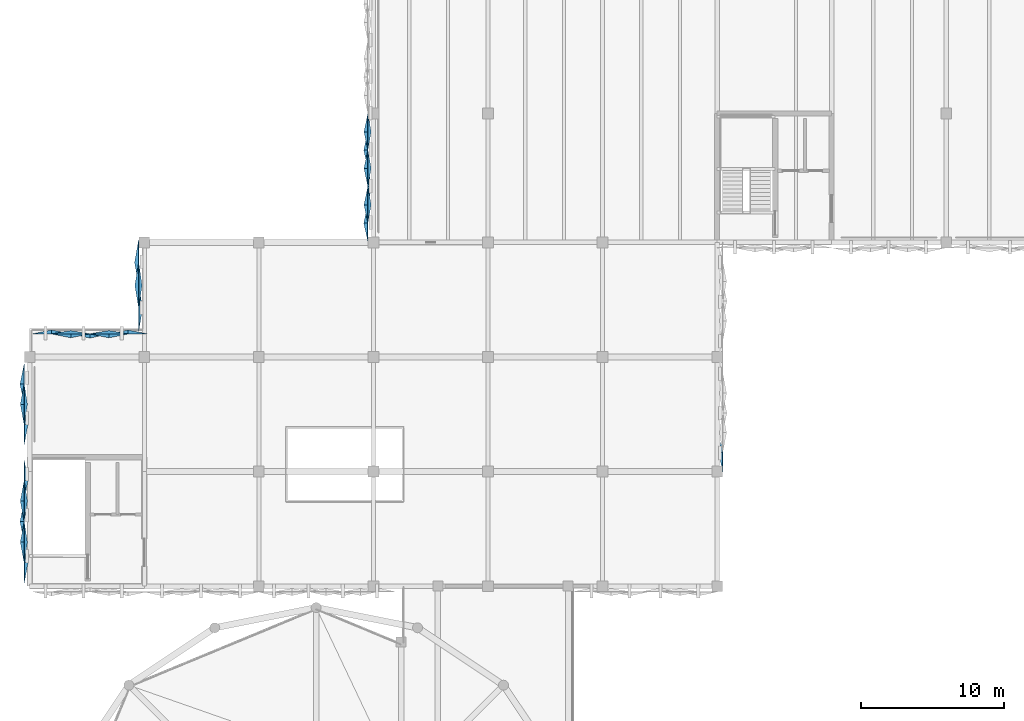
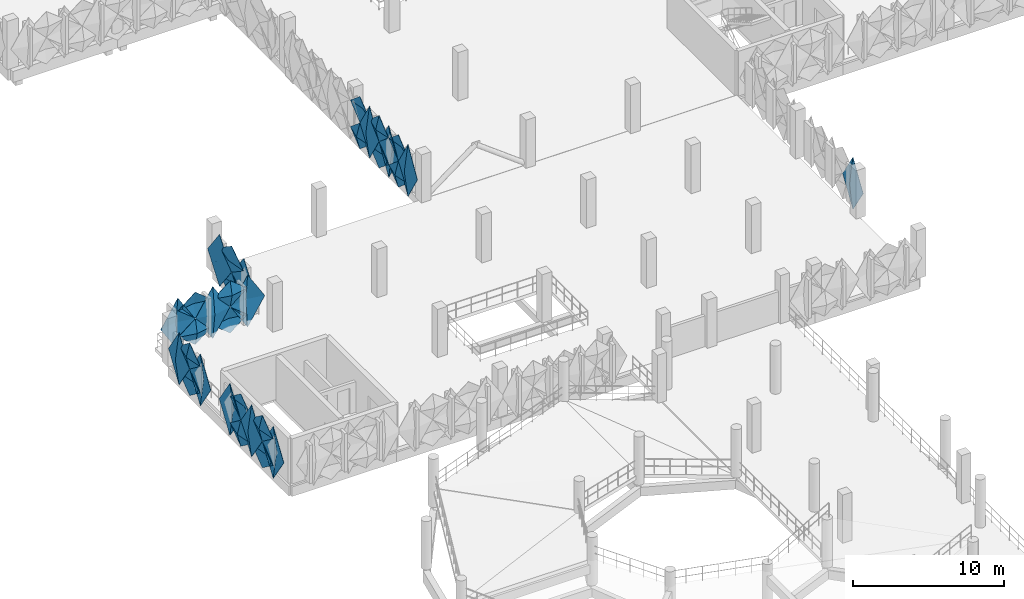
# One storey, part 53 of 83: 32 plates.
"""IFC4 building model written with IfcOpenShell, lengths in metres."""

from ifc_helpers import new_model, si_unit, derived_unit, direction, frame, origin, place, context, subcontext, project, spatial, polygons, material, layer, layer_set, type_object, element, save


model = new_model("IFC4")

# Units and contexts
model_context = context("Model", 3, precision=1e-05, world=origin(), true_north=direction((0.0, 1.0)))
body_context = subcontext(model_context, "Body", "Model", "MODEL_VIEW")
ifc_project = project(units=[si_unit("LENGTHUNIT", "METRE"), si_unit("AREAUNIT", "SQUARE_METRE"), si_unit("VOLUMEUNIT", "CUBIC_METRE"), si_unit("PLANEANGLEUNIT", "RADIAN"), si_unit("MASSUNIT", "GRAM", prefix="KILO"), si_unit("THERMODYNAMICTEMPERATUREUNIT", "KELVIN"), derived_unit("THERMALTRANSMITTANCEUNIT", [(si_unit("POWERUNIT", "WATT"), 1), (si_unit("AREAUNIT", "SQUARE_METRE"), -1), (si_unit("THERMODYNAMICTEMPERATUREUNIT", "KELVIN"), -1)])], contexts=[model_context])

# Site, building, storey
site_placement = place(None, origin())
site = spatial("IfcSite", under=ifc_project, at=site_placement, CompositionType="ELEMENT")
building_placement = place(site_placement, origin())
building = spatial("IfcBuilding", under=site, at=building_placement, Name="Haiyu Intermodal Mobility Hub", CompositionType="ELEMENT")
storey_placement = place(building_placement, frame((0.0, 0.0, 13.39990234375)))
storey = spatial("IfcBuildingStorey", under=building, at=storey_placement, Name="L03", CompositionType="ELEMENT", Elevation=13.39990234375)

# Plates
ifc_material = material(Name="Anodised aluminium 6063-T6", Category="aluminium")
ifc_layer_1 = layer(ifc_material, 0.01806640625)
ifc_layer_set_1 = layer_set([ifc_layer_1], Name="Anodised aluminium 6063-T6")
plate_type_1 = type_object("IfcPlateType", Name="PLT-FC01", PredefinedType="USERDEFINED", material=ifc_layer_set_1)
plate_1_placement = place(storey_placement, origin())
element("IfcPlate", 1, at=plate_1_placement, inside=storey, type_object=plate_type_1, Name="PLT-PYR-0573", ObjectType="FACADE CASSETTE", PredefinedType="USERDEFINED", context=body_context, shape_type="Tessellation", body=[
    polygons([(37.60009765625, 109.177001953125, 1.6201171875), (37.60009765625, 107.923095703125, 2.670166015625), (37.60009765625, 109.177001953125, 3.72021484375), (37.60009765625, 110.430908203125, 2.670166015625), (37.340087890625, 109.177001953125, 2.670166015625), (37.6220703125, 109.177001953125, 1.6201171875), (37.6220703125, 107.923095703125, 2.670166015625), (37.6220703125, 109.177001953125, 3.72021484375), (37.6220703125, 110.430908203125, 2.670166015625), (37.362060546875, 109.177001953125, 2.670166015625)], [[[1, 2, 5]], [[2, 3, 5]], [[3, 4, 5]], [[4, 1, 5]], [[7, 6, 10]], [[8, 7, 10]], [[9, 8, 10]], [[6, 9, 10]], [[1, 6, 7, 2]], [[2, 7, 8, 3]], [[3, 8, 9, 4]], [[4, 9, 6, 1]]], closed=True),
])
plate_2_placement = place(storey_placement, origin())
element("IfcPlate", 2, at=plate_2_placement, inside=storey, type_object=plate_type_1, Name="PLT-PYR-0661", ObjectType="FACADE CASSETTE", PredefinedType="USERDEFINED", context=body_context, shape_type="Tessellation", body=[
    polygons([(13.60009765625, 92.699951171875, 1.6201171875), (13.60009765625, 91.31005859375, 2.670166015625), (13.60009765625, 92.699951171875, 3.72021484375), (13.60009765625, 94.090087890625, 2.670166015625), (13.340087890625, 92.699951171875, 2.670166015625), (13.6220703125, 92.699951171875, 1.6201171875), (13.6220703125, 91.31005859375, 2.670166015625), (13.6220703125, 92.699951171875, 3.72021484375), (13.6220703125, 94.090087890625, 2.670166015625), (13.362060546875, 92.699951171875, 2.670166015625)], [[[1, 2, 5]], [[2, 3, 5]], [[3, 4, 5]], [[4, 1, 5]], [[7, 6, 10]], [[8, 7, 10]], [[9, 8, 10]], [[6, 9, 10]], [[1, 6, 7, 2]], [[2, 7, 8, 3]], [[3, 8, 9, 4]], [[4, 9, 6, 1]]], closed=True),
])
plate_3_placement = place(storey_placement, origin())
element("IfcPlate", 3, at=plate_3_placement, inside=storey, type_object=plate_type_1, Name="PLT-PYR-1447", ObjectType="FACADE CASSETTE", PredefinedType="USERDEFINED", context=body_context, shape_type="Tessellation", body=[
    polygons([(13.60009765625, 84.5, -0.510009765625), (13.60009765625, 83.0869140625, 1.60009765625), (13.60009765625, 84.5, 3.710205078125), (13.60009765625, 85.9130859375, 1.60009765625), (13.320068359375, 84.5, 1.60009765625), (13.6220703125, 84.5, -0.510009765625), (13.6220703125, 83.0869140625, 1.60009765625), (13.6220703125, 84.5, 3.710205078125), (13.6220703125, 85.9130859375, 1.60009765625), (13.342041015625, 84.5, 1.60009765625)], [[[1, 2, 5]], [[2, 3, 5]], [[3, 4, 5]], [[4, 1, 5]], [[7, 6, 10]], [[8, 7, 10]], [[9, 8, 10]], [[6, 9, 10]], [[1, 6, 7, 2]], [[2, 7, 8, 3]], [[3, 8, 9, 4]], [[4, 9, 6, 1]]], closed=True),
])
plate_4_placement = place(storey_placement, origin())
element("IfcPlate", 4, at=plate_4_placement, inside=storey, type_object=plate_type_1, Name="PLT-PYR-1449", ObjectType="FACADE CASSETTE", PredefinedType="USERDEFINED", context=body_context, shape_type="Tessellation", body=[
    polygons([(13.60009765625, 83.06689453125, 1.6201171875), (13.60009765625, 81.653076171875, 2.670166015625), (13.60009765625, 83.06689453125, 3.72021484375), (13.60009765625, 84.47998046875, 2.670166015625), (13.340087890625, 83.06689453125, 2.670166015625), (13.6220703125, 83.06689453125, 1.6201171875), (13.6220703125, 81.653076171875, 2.670166015625), (13.6220703125, 83.06689453125, 3.72021484375), (13.6220703125, 84.47998046875, 2.670166015625), (13.362060546875, 83.06689453125, 2.670166015625)], [[[1, 2, 5]], [[2, 3, 5]], [[3, 4, 5]], [[4, 1, 5]], [[7, 6, 10]], [[8, 7, 10]], [[9, 8, 10]], [[6, 9, 10]], [[1, 6, 7, 2]], [[2, 7, 8, 3]], [[3, 8, 9, 4]], [[4, 9, 6, 1]]], closed=True),
])
plate_5_placement = place(storey_placement, origin())
element("IfcPlate", 5, at=plate_5_placement, inside=storey, type_object=plate_type_1, Name="PLT-PYR-2510", ObjectType="FACADE CASSETTE", PredefinedType="USERDEFINED", context=body_context, shape_type="Tessellation", body=[
    polygons([(18.199951171875, 97.60009765625, -0.510009765625), (19.512939453125, 97.60009765625, 1.60009765625), (18.199951171875, 97.60009765625, 3.710205078125), (16.886962890625, 97.60009765625, 1.60009765625), (18.199951171875, 97.320068359375, 1.60009765625), (18.199951171875, 97.6220703125, -0.510009765625), (19.512939453125, 97.6220703125, 1.60009765625), (18.199951171875, 97.6220703125, 3.710205078125), (16.886962890625, 97.6220703125, 1.60009765625), (18.199951171875, 97.342041015625, 1.60009765625)], [[[1, 2, 5]], [[2, 3, 5]], [[3, 4, 5]], [[4, 1, 5]], [[7, 6, 10]], [[8, 7, 10]], [[9, 8, 10]], [[6, 9, 10]], [[1, 6, 7, 2]], [[2, 7, 8, 3]], [[3, 8, 9, 4]], [[4, 9, 6, 1]]], closed=True),
])
plate_6_placement = place(storey_placement, origin())
element("IfcPlate", 6, at=plate_6_placement, inside=storey, type_object=plate_type_1, Name="PLT-PYR-2512", ObjectType="FACADE CASSETTE", PredefinedType="USERDEFINED", context=body_context, shape_type="Tessellation", body=[
    polygons([(19.532958984375, 97.60009765625, 1.6201171875), (20.846923828125, 97.60009765625, 2.670166015625), (19.532958984375, 97.60009765625, 3.72021484375), (18.219970703125, 97.60009765625, 2.670166015625), (19.532958984375, 97.340087890625, 2.670166015625), (19.532958984375, 97.6220703125, 1.6201171875), (20.846923828125, 97.6220703125, 2.670166015625), (19.532958984375, 97.6220703125, 3.72021484375), (18.219970703125, 97.6220703125, 2.670166015625), (19.532958984375, 97.362060546875, 2.670166015625)], [[[1, 2, 5]], [[2, 3, 5]], [[3, 4, 5]], [[4, 1, 5]], [[7, 6, 10]], [[8, 7, 10]], [[9, 8, 10]], [[6, 9, 10]], [[1, 6, 7, 2]], [[2, 7, 8, 3]], [[3, 8, 9, 4]], [[4, 9, 6, 1]]], closed=True),
])
plate_7_placement = place(storey_placement, origin())
element("IfcPlate", 7, at=plate_7_placement, inside=storey, type_object=plate_type_1, Name="PLT-PYR-2516", ObjectType="FACADE CASSETTE", PredefinedType="USERDEFINED", context=body_context, shape_type="Tessellation", body=[
    polygons([(21.60009765625, 101.0, 1.6201171875), (21.60009765625, 99.419921875, 2.670166015625), (21.60009765625, 101.0, 3.72021484375), (21.60009765625, 102.580078125, 2.670166015625), (21.340087890625, 101.0, 2.670166015625), (21.6220703125, 101.0, 1.6201171875), (21.6220703125, 99.419921875, 2.670166015625), (21.6220703125, 101.0, 3.72021484375), (21.6220703125, 102.580078125, 2.670166015625), (21.362060546875, 101.0, 2.670166015625)], [[[1, 2, 5]], [[2, 3, 5]], [[3, 4, 5]], [[4, 1, 5]], [[7, 6, 10]], [[8, 7, 10]], [[9, 8, 10]], [[6, 9, 10]], [[1, 6, 7, 2]], [[2, 7, 8, 3]], [[3, 8, 9, 4]], [[4, 9, 6, 1]]], closed=True),
])
ifc_layer_2 = layer(ifc_material, 0.02001953125)
ifc_layer_set_2 = layer_set([ifc_layer_2], Name="Anodised aluminium 6063-T6")
plate_type_2 = type_object("IfcPlateType", Name="PLT-FC02", PredefinedType="USERDEFINED", material=ifc_layer_set_2)
plate_8_placement = place(storey_placement, origin())
element("IfcPlate", 8, at=plate_8_placement, inside=storey, type_object=plate_type_2, Name="PLT-PYR-0570", ObjectType="FACADE CASSETTE", PredefinedType="USERDEFINED", context=body_context, shape_type="Tessellation", body=[
    polygons([(37.60009765625, 111.72607421875, 1.6201171875), (37.60009765625, 110.470947265625, 2.670166015625), (37.60009765625, 111.72607421875, 3.72021484375), (37.60009765625, 112.97998046875, 2.670166015625), (37.820068359375, 111.72607421875, 2.670166015625), (37.6220703125, 111.72607421875, 1.6201171875), (37.6220703125, 110.470947265625, 2.670166015625), (37.6220703125, 111.72607421875, 3.72021484375), (37.6220703125, 112.97998046875, 2.670166015625), (37.842041015625, 111.72607421875, 2.670166015625)], [[[1, 2, 5]], [[2, 3, 5]], [[3, 4, 5]], [[4, 1, 5]], [[7, 6, 10]], [[8, 7, 10]], [[9, 8, 10]], [[6, 9, 10]], [[1, 6, 7, 2]], [[2, 7, 8, 3]], [[3, 8, 9, 4]], [[4, 9, 6, 1]]], closed=True),
])
plate_9_placement = place(storey_placement, origin())
element("IfcPlate", 9, at=plate_9_placement, inside=storey, type_object=plate_type_2, Name="PLT-PYR-0574", ObjectType="FACADE CASSETTE", PredefinedType="USERDEFINED", context=body_context, shape_type="Tessellation", body=[
    polygons([(37.60009765625, 107.903076171875, -0.510009765625), (37.60009765625, 106.64892578125, 1.60009765625), (37.60009765625, 107.903076171875, 3.710205078125), (37.60009765625, 109.156982421875, 1.60009765625), (37.860107421875, 107.903076171875, 1.60009765625), (37.6220703125, 107.903076171875, -0.510009765625), (37.6220703125, 106.64892578125, 1.60009765625), (37.6220703125, 107.903076171875, 3.710205078125), (37.6220703125, 109.156982421875, 1.60009765625), (37.882080078125, 107.903076171875, 1.60009765625)], [[[1, 2, 5]], [[2, 3, 5]], [[3, 4, 5]], [[4, 1, 5]], [[7, 6, 10]], [[8, 7, 10]], [[9, 8, 10]], [[6, 9, 10]], [[1, 6, 7, 2]], [[2, 7, 8, 3]], [[3, 8, 9, 4]], [[4, 9, 6, 1]]], closed=True),
])
plate_10_placement = place(storey_placement, origin())
element("IfcPlate", 10, at=plate_10_placement, inside=storey, type_object=plate_type_2, Name="PLT-PYR-0576", ObjectType="FACADE CASSETTE", PredefinedType="USERDEFINED", context=body_context, shape_type="Tessellation", body=[
    polygons([(37.60009765625, 106.62890625, 1.6201171875), (37.60009765625, 105.3740234375, 2.670166015625), (37.60009765625, 106.62890625, 3.72021484375), (37.60009765625, 107.883056640625, 2.670166015625), (37.820068359375, 106.62890625, 2.670166015625), (37.6220703125, 106.62890625, 1.6201171875), (37.6220703125, 105.3740234375, 2.670166015625), (37.6220703125, 106.62890625, 3.72021484375), (37.6220703125, 107.883056640625, 2.670166015625), (37.842041015625, 106.62890625, 2.670166015625)], [[[1, 2, 5]], [[2, 3, 5]], [[3, 4, 5]], [[4, 1, 5]], [[7, 6, 10]], [[8, 7, 10]], [[9, 8, 10]], [[6, 9, 10]], [[1, 6, 7, 2]], [[2, 7, 8, 3]], [[3, 8, 9, 4]], [[4, 9, 6, 1]]], closed=True),
])
plate_11_placement = place(storey_placement, origin())
element("IfcPlate", 11, at=plate_11_placement, inside=storey, type_object=plate_type_2, Name="PLT-PYR-0662", ObjectType="FACADE CASSETTE", PredefinedType="USERDEFINED", context=body_context, shape_type="Tessellation", body=[
    polygons([(13.60009765625, 91.2900390625, -0.510009765625), (13.60009765625, 89.89990234375, 1.60009765625), (13.60009765625, 91.2900390625, 3.710205078125), (13.60009765625, 92.679931640625, 1.60009765625), (13.860107421875, 91.2900390625, 1.60009765625), (13.6220703125, 91.2900390625, -0.510009765625), (13.6220703125, 89.89990234375, 1.60009765625), (13.6220703125, 91.2900390625, 3.710205078125), (13.6220703125, 92.679931640625, 1.60009765625), (13.882080078125, 91.2900390625, 1.60009765625)], [[[1, 2, 5]], [[2, 3, 5]], [[3, 4, 5]], [[4, 1, 5]], [[7, 6, 10]], [[8, 7, 10]], [[9, 8, 10]], [[6, 9, 10]], [[1, 6, 7, 2]], [[2, 7, 8, 3]], [[3, 8, 9, 4]], [[4, 9, 6, 1]]], closed=True),
])
plate_12_placement = place(storey_placement, origin())
element("IfcPlate", 12, at=plate_12_placement, inside=storey, type_object=plate_type_2, Name="PLT-PYR-1446", ObjectType="FACADE CASSETTE", PredefinedType="USERDEFINED", context=body_context, shape_type="Tessellation", body=[
    polygons([(13.60009765625, 85.93310546875, 1.6201171875), (13.60009765625, 84.52001953125, 2.670166015625), (13.60009765625, 85.93310546875, 3.72021484375), (13.60009765625, 87.346923828125, 2.670166015625), (13.820068359375, 85.93310546875, 2.670166015625), (13.6220703125, 85.93310546875, 1.6201171875), (13.6220703125, 84.52001953125, 2.670166015625), (13.6220703125, 85.93310546875, 3.72021484375), (13.6220703125, 87.346923828125, 2.670166015625), (13.842041015625, 85.93310546875, 2.670166015625)], [[[1, 2, 5]], [[2, 3, 5]], [[3, 4, 5]], [[4, 1, 5]], [[7, 6, 10]], [[8, 7, 10]], [[9, 8, 10]], [[6, 9, 10]], [[1, 6, 7, 2]], [[2, 7, 8, 3]], [[3, 8, 9, 4]], [[4, 9, 6, 1]]], closed=True),
])
plate_13_placement = place(storey_placement, origin())
element("IfcPlate", 13, at=plate_13_placement, inside=storey, type_object=plate_type_2, Name="PLT-PYR-2509", ObjectType="FACADE CASSETTE", PredefinedType="USERDEFINED", context=body_context, shape_type="Tessellation", body=[
    polygons([(16.866943359375, 97.60009765625, 1.6201171875), (18.179931640625, 97.60009765625, 2.670166015625), (16.866943359375, 97.60009765625, 3.72021484375), (15.552978515625, 97.60009765625, 2.670166015625), (16.866943359375, 97.820068359375, 2.670166015625), (16.866943359375, 97.6220703125, 1.6201171875), (18.179931640625, 97.6220703125, 2.670166015625), (16.866943359375, 97.6220703125, 3.72021484375), (15.552978515625, 97.6220703125, 2.670166015625), (16.866943359375, 97.842041015625, 2.670166015625)], [[[1, 2, 5]], [[2, 3, 5]], [[3, 4, 5]], [[4, 1, 5]], [[7, 6, 10]], [[8, 7, 10]], [[9, 8, 10]], [[6, 9, 10]], [[1, 6, 7, 2]], [[2, 7, 8, 3]], [[3, 8, 9, 4]], [[4, 9, 6, 1]]], closed=True),
])
plate_14_placement = place(storey_placement, origin())
element("IfcPlate", 14, at=plate_14_placement, inside=storey, type_object=plate_type_2, Name="PLT-PYR-2517", ObjectType="FACADE CASSETTE", PredefinedType="USERDEFINED", context=body_context, shape_type="Tessellation", body=[
    polygons([(21.60009765625, 99.39990234375, -0.510009765625), (21.60009765625, 97.820068359375, 1.60009765625), (21.60009765625, 99.39990234375, 3.710205078125), (21.60009765625, 100.97998046875, 1.60009765625), (21.860107421875, 99.39990234375, 1.60009765625), (21.6220703125, 99.39990234375, -0.510009765625), (21.6220703125, 97.820068359375, 1.60009765625), (21.6220703125, 99.39990234375, 3.710205078125), (21.6220703125, 100.97998046875, 1.60009765625), (21.882080078125, 99.39990234375, 1.60009765625)], [[[1, 2, 5]], [[2, 3, 5]], [[3, 4, 5]], [[4, 1, 5]], [[7, 6, 10]], [[8, 7, 10]], [[9, 8, 10]], [[6, 9, 10]], [[1, 6, 7, 2]], [[2, 7, 8, 3]], [[3, 8, 9, 4]], [[4, 9, 6, 1]]], closed=True),
])
ifc_layer_3 = layer(ifc_material, 0.01806640625)
ifc_layer_set_3 = layer_set([ifc_layer_3], Name="Anodised aluminium 6063-T6")
plate_type_3 = type_object("IfcPlateType", Name="PLT-FC03", PredefinedType="USERDEFINED", material=ifc_layer_set_3)
plate_15_placement = place(storey_placement, origin())
element("IfcPlate", 15, at=plate_15_placement, inside=storey, type_object=plate_type_3, Name="PLT-PYR-0577", ObjectType="FACADE CASSETTE", PredefinedType="USERDEFINED", context=body_context, shape_type="Tessellation", body=[
    polygons([(37.60009765625, 105.35400390625, -0.510009765625), (37.60009765625, 104.10009765625, 1.60009765625), (37.60009765625, 105.35400390625, 3.710205078125), (37.60009765625, 106.60888671875, 1.60009765625), (37.320068359375, 105.35400390625, 1.60009765625), (37.6220703125, 105.35400390625, -0.510009765625), (37.6220703125, 104.10009765625, 1.60009765625), (37.6220703125, 105.35400390625, 3.710205078125), (37.6220703125, 106.60888671875, 1.60009765625), (37.342041015625, 105.35400390625, 1.60009765625)], [[[1, 2, 5]], [[2, 3, 5]], [[3, 4, 5]], [[4, 1, 5]], [[7, 6, 10]], [[8, 7, 10]], [[9, 8, 10]], [[6, 9, 10]], [[1, 6, 7, 2]], [[2, 7, 8, 3]], [[3, 8, 9, 4]], [[4, 9, 6, 1]]], closed=True),
])
ifc_layer_4 = layer(ifc_material, 0.02001953125)
ifc_layer_set_4 = layer_set([ifc_layer_4], Name="Anodised aluminium 6063-T6")
plate_type_4 = type_object("IfcPlateType", Name="PLT-FC04", PredefinedType="USERDEFINED", material=ifc_layer_set_4)
plate_16_placement = place(storey_placement, origin())
element("IfcPlate", 16, at=plate_16_placement, inside=storey, type_object=plate_type_4, Name="PLT-PYR-1450", ObjectType="FACADE CASSETTE", PredefinedType="USERDEFINED", context=body_context, shape_type="Tessellation", body=[
    polygons([(13.60009765625, 81.633056640625, -0.510009765625), (13.60009765625, 80.219970703125, 1.60009765625), (13.60009765625, 81.633056640625, 3.710205078125), (13.60009765625, 83.047119140625, 1.60009765625), (13.860107421875, 81.633056640625, 1.60009765625), (13.6220703125, 81.633056640625, -0.510009765625), (13.6220703125, 80.219970703125, 1.60009765625), (13.6220703125, 81.633056640625, 3.710205078125), (13.6220703125, 83.047119140625, 1.60009765625), (13.882080078125, 81.633056640625, 1.60009765625)], [[[1, 2, 5]], [[2, 3, 5]], [[3, 4, 5]], [[4, 1, 5]], [[7, 6, 10]], [[8, 7, 10]], [[9, 8, 10]], [[6, 9, 10]], [[1, 6, 7, 2]], [[2, 7, 8, 3]], [[3, 8, 9, 4]], [[4, 9, 6, 1]]], closed=True),
])
plate_17_placement = place(storey_placement, origin())
element("IfcPlate", 17, at=plate_17_placement, inside=storey, type_object=plate_type_4, Name="PLT-PYR-2513", ObjectType="FACADE CASSETTE", PredefinedType="USERDEFINED", context=body_context, shape_type="Tessellation", body=[
    polygons([(20.866943359375, 97.60009765625, -0.510009765625), (22.179931640625, 97.60009765625, 1.60009765625), (20.866943359375, 97.60009765625, 3.710205078125), (19.552978515625, 97.60009765625, 1.60009765625), (20.866943359375, 97.860107421875, 1.60009765625), (20.866943359375, 97.6220703125, -0.510009765625), (22.179931640625, 97.6220703125, 1.60009765625), (20.866943359375, 97.6220703125, 3.710205078125), (19.552978515625, 97.6220703125, 1.60009765625), (20.866943359375, 97.882080078125, 1.60009765625)], [[[1, 2, 5]], [[2, 3, 5]], [[3, 4, 5]], [[4, 1, 5]], [[7, 6, 10]], [[8, 7, 10]], [[9, 8, 10]], [[6, 9, 10]], [[1, 6, 7, 2]], [[2, 7, 8, 3]], [[3, 8, 9, 4]], [[4, 9, 6, 1]]], closed=True),
])
ifc_layer_5 = layer(ifc_material, 0.02197265625)
ifc_layer_set_5 = layer_set([ifc_layer_5], Name="Anodised aluminium 6063-T6")
plate_type_5 = type_object("IfcPlateType", Name="PLT-FC07", PredefinedType="USERDEFINED", material=ifc_layer_set_5)
plate_18_placement = place(storey_placement, origin())
element("IfcPlate", 18, at=plate_18_placement, inside=storey, type_object=plate_type_5, Name="PLT-PYR-0569", ObjectType="FACADE CASSETTE", PredefinedType="USERDEFINED", context=body_context, shape_type="Tessellation", body=[
    polygons([(37.60009765625, 111.72607421875, -0.52001953125), (37.60009765625, 110.470947265625, 0.530029296875), (37.60009765625, 111.72607421875, 1.580078125), (37.60009765625, 112.97998046875, 0.530029296875), (37.340087890625, 111.72607421875, 0.530029296875), (37.6220703125, 111.72607421875, -0.52001953125), (37.6220703125, 110.470947265625, 0.530029296875), (37.6220703125, 111.72607421875, 1.580078125), (37.6220703125, 112.97998046875, 0.530029296875), (37.362060546875, 111.72607421875, 0.530029296875)], [[[1, 2, 5]], [[2, 3, 5]], [[3, 4, 5]], [[4, 1, 5]], [[7, 6, 10]], [[8, 7, 10]], [[9, 8, 10]], [[6, 9, 10]], [[1, 6, 7, 2]], [[2, 7, 8, 3]], [[3, 8, 9, 4]], [[4, 9, 6, 1]]], closed=True),
])
plate_19_placement = place(storey_placement, origin())
element("IfcPlate", 19, at=plate_19_placement, inside=storey, type_object=plate_type_5, Name="PLT-PYR-0571", ObjectType="FACADE CASSETTE", PredefinedType="USERDEFINED", context=body_context, shape_type="Tessellation", body=[
    polygons([(37.60009765625, 110.450927734375, -0.510009765625), (37.60009765625, 109.197021484375, 1.60009765625), (37.60009765625, 110.450927734375, 3.710205078125), (37.60009765625, 111.7060546875, 1.60009765625), (37.320068359375, 110.450927734375, 1.60009765625), (37.6220703125, 110.450927734375, -0.510009765625), (37.6220703125, 109.197021484375, 1.60009765625), (37.6220703125, 110.450927734375, 3.710205078125), (37.6220703125, 111.7060546875, 1.60009765625), (37.342041015625, 110.450927734375, 1.60009765625)], [[[1, 2, 5]], [[2, 3, 5]], [[3, 4, 5]], [[4, 1, 5]], [[7, 6, 10]], [[8, 7, 10]], [[9, 8, 10]], [[6, 9, 10]], [[1, 6, 7, 2]], [[2, 7, 8, 3]], [[3, 8, 9, 4]], [[4, 9, 6, 1]]], closed=True),
])
plate_20_placement = place(storey_placement, origin())
element("IfcPlate", 20, at=plate_20_placement, inside=storey, type_object=plate_type_5, Name="PLT-PYR-0575", ObjectType="FACADE CASSETTE", PredefinedType="USERDEFINED", context=body_context, shape_type="Tessellation", body=[
    polygons([(37.60009765625, 106.62890625, -0.52001953125), (37.60009765625, 105.3740234375, 0.530029296875), (37.60009765625, 106.62890625, 1.580078125), (37.60009765625, 107.883056640625, 0.530029296875), (37.340087890625, 106.62890625, 0.530029296875), (37.6220703125, 106.62890625, -0.52001953125), (37.6220703125, 105.3740234375, 0.530029296875), (37.6220703125, 106.62890625, 1.580078125), (37.6220703125, 107.883056640625, 0.530029296875), (37.362060546875, 106.62890625, 0.530029296875)], [[[1, 2, 5]], [[2, 3, 5]], [[3, 4, 5]], [[4, 1, 5]], [[7, 6, 10]], [[8, 7, 10]], [[9, 8, 10]], [[6, 9, 10]], [[1, 6, 7, 2]], [[2, 7, 8, 3]], [[3, 8, 9, 4]], [[4, 9, 6, 1]]], closed=True),
])
plate_21_placement = place(storey_placement, origin())
element("IfcPlate", 21, at=plate_21_placement, inside=storey, type_object=plate_type_5, Name="PLT-PYR-0659", ObjectType="FACADE CASSETTE", PredefinedType="USERDEFINED", context=body_context, shape_type="Tessellation", body=[
    polygons([(13.60009765625, 94.110107421875, -0.510009765625), (13.60009765625, 92.719970703125, 1.60009765625), (13.60009765625, 94.110107421875, 3.710205078125), (13.60009765625, 95.5, 1.60009765625), (13.320068359375, 94.110107421875, 1.60009765625), (13.6220703125, 94.110107421875, -0.510009765625), (13.6220703125, 92.719970703125, 1.60009765625), (13.6220703125, 94.110107421875, 3.710205078125), (13.6220703125, 95.5, 1.60009765625), (13.342041015625, 94.110107421875, 1.60009765625)], [[[1, 2, 5]], [[2, 3, 5]], [[3, 4, 5]], [[4, 1, 5]], [[7, 6, 10]], [[8, 7, 10]], [[9, 8, 10]], [[6, 9, 10]], [[1, 6, 7, 2]], [[2, 7, 8, 3]], [[3, 8, 9, 4]], [[4, 9, 6, 1]]], closed=True),
])
plate_22_placement = place(storey_placement, origin())
element("IfcPlate", 22, at=plate_22_placement, inside=storey, type_object=plate_type_5, Name="PLT-PYR-1445", ObjectType="FACADE CASSETTE", PredefinedType="USERDEFINED", context=body_context, shape_type="Tessellation", body=[
    polygons([(13.60009765625, 85.93310546875, -0.52001953125), (13.60009765625, 84.52001953125, 0.530029296875), (13.60009765625, 85.93310546875, 1.580078125), (13.60009765625, 87.346923828125, 0.530029296875), (13.340087890625, 85.93310546875, 0.530029296875), (13.6220703125, 85.93310546875, -0.52001953125), (13.6220703125, 84.52001953125, 0.530029296875), (13.6220703125, 85.93310546875, 1.580078125), (13.6220703125, 87.346923828125, 0.530029296875), (13.362060546875, 85.93310546875, 0.530029296875)], [[[1, 2, 5]], [[2, 3, 5]], [[3, 4, 5]], [[4, 1, 5]], [[7, 6, 10]], [[8, 7, 10]], [[9, 8, 10]], [[6, 9, 10]], [[1, 6, 7, 2]], [[2, 7, 8, 3]], [[3, 8, 9, 4]], [[4, 9, 6, 1]]], closed=True),
])
plate_23_placement = place(storey_placement, origin())
element("IfcPlate", 23, at=plate_23_placement, inside=storey, type_object=plate_type_5, Name="PLT-PYR-2508", ObjectType="FACADE CASSETTE", PredefinedType="USERDEFINED", context=body_context, shape_type="Tessellation", body=[
    polygons([(16.866943359375, 97.60009765625, -0.52001953125), (18.179931640625, 97.60009765625, 0.530029296875), (16.866943359375, 97.60009765625, 1.580078125), (15.552978515625, 97.60009765625, 0.530029296875), (16.866943359375, 97.340087890625, 0.530029296875), (16.866943359375, 97.6220703125, -0.52001953125), (18.179931640625, 97.6220703125, 0.530029296875), (16.866943359375, 97.6220703125, 1.580078125), (15.552978515625, 97.6220703125, 0.530029296875), (16.866943359375, 97.362060546875, 0.530029296875)], [[[1, 2, 5]], [[2, 3, 5]], [[3, 4, 5]], [[4, 1, 5]], [[7, 6, 10]], [[8, 7, 10]], [[9, 8, 10]], [[6, 9, 10]], [[1, 6, 7, 2]], [[2, 7, 8, 3]], [[3, 8, 9, 4]], [[4, 9, 6, 1]]], closed=True),
])
plate_24_placement = place(storey_placement, origin())
element("IfcPlate", 24, at=plate_24_placement, inside=storey, type_object=plate_type_5, Name="PLT-PYR-2514", ObjectType="FACADE CASSETTE", PredefinedType="USERDEFINED", context=body_context, shape_type="Tessellation", body=[
    polygons([(21.60009765625, 102.60009765625, -0.510009765625), (21.60009765625, 101.02001953125, 1.60009765625), (21.60009765625, 102.60009765625, 3.710205078125), (21.60009765625, 104.179931640625, 1.60009765625), (21.320068359375, 102.60009765625, 1.60009765625), (21.6220703125, 102.60009765625, -0.510009765625), (21.6220703125, 101.02001953125, 1.60009765625), (21.6220703125, 102.60009765625, 3.710205078125), (21.6220703125, 104.179931640625, 1.60009765625), (21.342041015625, 102.60009765625, 1.60009765625)], [[[1, 2, 5]], [[2, 3, 5]], [[3, 4, 5]], [[4, 1, 5]], [[7, 6, 10]], [[8, 7, 10]], [[9, 8, 10]], [[6, 9, 10]], [[1, 6, 7, 2]], [[2, 7, 8, 3]], [[3, 8, 9, 4]], [[4, 9, 6, 1]]], closed=True),
])
ifc_layer_6 = layer(ifc_material, 0.02392578125)
ifc_layer_set_6 = layer_set([ifc_layer_6], Name="Anodised aluminium 6063-T6")
plate_type_6 = type_object("IfcPlateType", Name="PLT-FC08", PredefinedType="USERDEFINED", material=ifc_layer_set_6)
plate_25_placement = place(storey_placement, origin())
element("IfcPlate", 25, at=plate_25_placement, inside=storey, type_object=plate_type_6, Name="PLT-PYR-0572", ObjectType="FACADE CASSETTE", PredefinedType="USERDEFINED", context=body_context, shape_type="Tessellation", body=[
    polygons([(37.60009765625, 109.177001953125, -0.52001953125), (37.60009765625, 107.923095703125, 0.530029296875), (37.60009765625, 109.177001953125, 1.580078125), (37.60009765625, 110.430908203125, 0.530029296875), (37.820068359375, 109.177001953125, 0.530029296875), (37.6220703125, 109.177001953125, -0.52001953125), (37.6220703125, 107.923095703125, 0.530029296875), (37.6220703125, 109.177001953125, 1.580078125), (37.6220703125, 110.430908203125, 0.530029296875), (37.842041015625, 109.177001953125, 0.530029296875)], [[[1, 2, 5]], [[2, 3, 5]], [[3, 4, 5]], [[4, 1, 5]], [[7, 6, 10]], [[8, 7, 10]], [[9, 8, 10]], [[6, 9, 10]], [[1, 6, 7, 2]], [[2, 7, 8, 3]], [[3, 8, 9, 4]], [[4, 9, 6, 1]]], closed=True),
])
plate_26_placement = place(storey_placement, origin())
element("IfcPlate", 26, at=plate_26_placement, inside=storey, type_object=plate_type_6, Name="PLT-PYR-0660", ObjectType="FACADE CASSETTE", PredefinedType="USERDEFINED", context=body_context, shape_type="Tessellation", body=[
    polygons([(13.60009765625, 92.699951171875, -0.52001953125), (13.60009765625, 91.31005859375, 0.530029296875), (13.60009765625, 92.699951171875, 1.580078125), (13.60009765625, 94.090087890625, 0.530029296875), (13.820068359375, 92.699951171875, 0.530029296875), (13.6220703125, 92.699951171875, -0.52001953125), (13.6220703125, 91.31005859375, 0.530029296875), (13.6220703125, 92.699951171875, 1.580078125), (13.6220703125, 94.090087890625, 0.530029296875), (13.842041015625, 92.699951171875, 0.530029296875)], [[[1, 2, 5]], [[2, 3, 5]], [[3, 4, 5]], [[4, 1, 5]], [[7, 6, 10]], [[8, 7, 10]], [[9, 8, 10]], [[6, 9, 10]], [[1, 6, 7, 2]], [[2, 7, 8, 3]], [[3, 8, 9, 4]], [[4, 9, 6, 1]]], closed=True),
])
plate_27_placement = place(storey_placement, origin())
element("IfcPlate", 27, at=plate_27_placement, inside=storey, type_object=plate_type_6, Name="PLT-PYR-1444", ObjectType="FACADE CASSETTE", PredefinedType="USERDEFINED", context=body_context, shape_type="Tessellation", body=[
    polygons([(13.60009765625, 87.366943359375, -0.510009765625), (13.60009765625, 85.952880859375, 1.60009765625), (13.60009765625, 87.366943359375, 3.710205078125), (13.60009765625, 88.780029296875, 1.60009765625), (13.860107421875, 87.366943359375, 1.60009765625), (13.6220703125, 87.366943359375, -0.510009765625), (13.6220703125, 85.952880859375, 1.60009765625), (13.6220703125, 87.366943359375, 3.710205078125), (13.6220703125, 88.780029296875, 1.60009765625), (13.882080078125, 87.366943359375, 1.60009765625)], [[[1, 2, 5]], [[2, 3, 5]], [[3, 4, 5]], [[4, 1, 5]], [[7, 6, 10]], [[8, 7, 10]], [[9, 8, 10]], [[6, 9, 10]], [[1, 6, 7, 2]], [[2, 7, 8, 3]], [[3, 8, 9, 4]], [[4, 9, 6, 1]]], closed=True),
])
plate_28_placement = place(storey_placement, origin())
element("IfcPlate", 28, at=plate_28_placement, inside=storey, type_object=plate_type_6, Name="PLT-PYR-1448", ObjectType="FACADE CASSETTE", PredefinedType="USERDEFINED", context=body_context, shape_type="Tessellation", body=[
    polygons([(13.60009765625, 83.06689453125, -0.52001953125), (13.60009765625, 81.653076171875, 0.530029296875), (13.60009765625, 83.06689453125, 1.580078125), (13.60009765625, 84.47998046875, 0.530029296875), (13.820068359375, 83.06689453125, 0.530029296875), (13.6220703125, 83.06689453125, -0.52001953125), (13.6220703125, 81.653076171875, 0.530029296875), (13.6220703125, 83.06689453125, 1.580078125), (13.6220703125, 84.47998046875, 0.530029296875), (13.842041015625, 83.06689453125, 0.530029296875)], [[[1, 2, 5]], [[2, 3, 5]], [[3, 4, 5]], [[4, 1, 5]], [[7, 6, 10]], [[8, 7, 10]], [[9, 8, 10]], [[6, 9, 10]], [[1, 6, 7, 2]], [[2, 7, 8, 3]], [[3, 8, 9, 4]], [[4, 9, 6, 1]]], closed=True),
])
plate_29_placement = place(storey_placement, origin())
element("IfcPlate", 29, at=plate_29_placement, inside=storey, type_object=plate_type_6, Name="PLT-PYR-2063", ObjectType="FACADE CASSETTE", PredefinedType="USERDEFINED", context=body_context, shape_type="Tessellation", body=[
    polygons([(62.39990234375, 89.3330078125, -0.510009765625), (62.39990234375, 90.697021484375, 1.60009765625), (62.39990234375, 89.3330078125, 3.710205078125), (62.39990234375, 87.969970703125, 1.60009765625), (62.139892578125, 89.3330078125, 1.60009765625), (62.3779296875, 89.3330078125, -0.510009765625), (62.3779296875, 90.697021484375, 1.60009765625), (62.3779296875, 89.3330078125, 3.710205078125), (62.3779296875, 87.969970703125, 1.60009765625), (62.117919921875, 89.3330078125, 1.60009765625)], [[[1, 2, 5]], [[2, 3, 5]], [[3, 4, 5]], [[4, 1, 5]], [[7, 6, 10]], [[8, 7, 10]], [[9, 8, 10]], [[6, 9, 10]], [[1, 6, 7, 2]], [[2, 7, 8, 3]], [[3, 8, 9, 4]], [[4, 9, 6, 1]]], closed=True),
])
plate_30_placement = place(storey_placement, origin())
element("IfcPlate", 30, at=plate_30_placement, inside=storey, type_object=plate_type_6, Name="PLT-PYR-2507", ObjectType="FACADE CASSETTE", PredefinedType="USERDEFINED", context=body_context, shape_type="Tessellation", body=[
    polygons([(15.532958984375, 97.60009765625, -0.510009765625), (16.846923828125, 97.60009765625, 1.60009765625), (15.532958984375, 97.60009765625, 3.710205078125), (14.219970703125, 97.60009765625, 1.60009765625), (15.532958984375, 97.860107421875, 1.60009765625), (15.532958984375, 97.6220703125, -0.510009765625), (16.846923828125, 97.6220703125, 1.60009765625), (15.532958984375, 97.6220703125, 3.710205078125), (14.219970703125, 97.6220703125, 1.60009765625), (15.532958984375, 97.882080078125, 1.60009765625)], [[[1, 2, 5]], [[2, 3, 5]], [[3, 4, 5]], [[4, 1, 5]], [[7, 6, 10]], [[8, 7, 10]], [[9, 8, 10]], [[6, 9, 10]], [[1, 6, 7, 2]], [[2, 7, 8, 3]], [[3, 8, 9, 4]], [[4, 9, 6, 1]]], closed=True),
])
plate_31_placement = place(storey_placement, origin())
element("IfcPlate", 31, at=plate_31_placement, inside=storey, type_object=plate_type_6, Name="PLT-PYR-2511", ObjectType="FACADE CASSETTE", PredefinedType="USERDEFINED", context=body_context, shape_type="Tessellation", body=[
    polygons([(19.532958984375, 97.60009765625, -0.52001953125), (20.846923828125, 97.60009765625, 0.530029296875), (19.532958984375, 97.60009765625, 1.580078125), (18.219970703125, 97.60009765625, 0.530029296875), (19.532958984375, 97.820068359375, 0.530029296875), (19.532958984375, 97.6220703125, -0.52001953125), (20.846923828125, 97.6220703125, 0.530029296875), (19.532958984375, 97.6220703125, 1.580078125), (18.219970703125, 97.6220703125, 0.530029296875), (19.532958984375, 97.842041015625, 0.530029296875)], [[[1, 2, 5]], [[2, 3, 5]], [[3, 4, 5]], [[4, 1, 5]], [[7, 6, 10]], [[8, 7, 10]], [[9, 8, 10]], [[6, 9, 10]], [[1, 6, 7, 2]], [[2, 7, 8, 3]], [[3, 8, 9, 4]], [[4, 9, 6, 1]]], closed=True),
])
plate_32_placement = place(storey_placement, origin())
element("IfcPlate", 32, at=plate_32_placement, inside=storey, type_object=plate_type_6, Name="PLT-PYR-2515", ObjectType="FACADE CASSETTE", PredefinedType="USERDEFINED", context=body_context, shape_type="Tessellation", body=[
    polygons([(21.60009765625, 101.0, -0.52001953125), (21.60009765625, 99.419921875, 0.530029296875), (21.60009765625, 101.0, 1.580078125), (21.60009765625, 102.580078125, 0.530029296875), (21.820068359375, 101.0, 0.530029296875), (21.6220703125, 101.0, -0.52001953125), (21.6220703125, 99.419921875, 0.530029296875), (21.6220703125, 101.0, 1.580078125), (21.6220703125, 102.580078125, 0.530029296875), (21.842041015625, 101.0, 0.530029296875)], [[[1, 2, 5]], [[2, 3, 5]], [[3, 4, 5]], [[4, 1, 5]], [[7, 6, 10]], [[8, 7, 10]], [[9, 8, 10]], [[6, 9, 10]], [[1, 6, 7, 2]], [[2, 7, 8, 3]], [[3, 8, 9, 4]], [[4, 9, 6, 1]]], closed=True),
])

save(model, "model.ifc")
